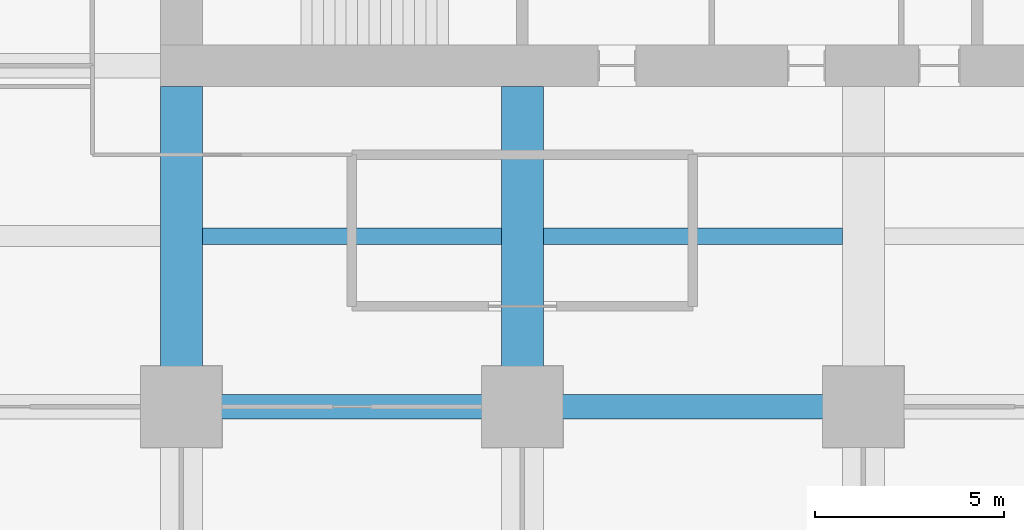
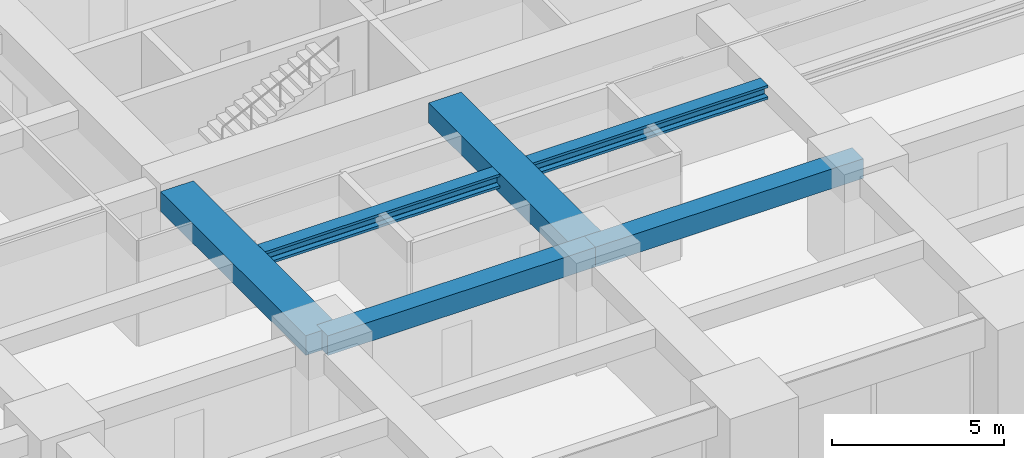
# One storey, part 8 of 44: 6 beams.
"""IFC4 building model written with IfcOpenShell, lengths in metres."""

import ifcopenshell
import ifcopenshell.guid

model = None  # the IFC model being written
_history = None  # IfcOwnerHistory: only IFC2X3 demands one
_inside = {}  # id of a spatial element -> (the spatial element, [elements in it])
_under = {}  # id of a project, library or spatial element -> (it, [spatial elements below it])
_declared = {}  # id of a project -> (the project, [libraries it declares])
_typed = {}  # id of a type object -> (the type object, [elements of that type])
_made_of = {}  # id of a material, layer set ... -> (it, [elements and type objects made of it])


def new_model(schema):
    """Start an empty IFC model of exactly this schema.

    Asked for "IFC4X3", IfcOpenShell would pick the latest addendum, in which some entities
    have other attributes; the version numbers below select the first issue.
    IFC2X3 requires an IfcOwnerHistory on every rooted entity: one is made here for all.
    """
    global model, _history
    if schema == "IFC4X3":
        model = ifcopenshell.file(schema_version=(4, 3, 0, 0))
    else:
        model = ifcopenshell.file(schema=schema)
    _inside.clear()
    _under.clear()
    _declared.clear()
    _typed.clear()
    _made_of.clear()
    _history = None
    if model.schema == "IFC2X3":
        org = make("IfcOrganization", Name="unknown")
        user = make(
            "IfcPersonAndOrganization",
            ThePerson=make("IfcPerson", FamilyName="unknown"),
            TheOrganization=org,
        )
        app = make(
            "IfcApplication",
            ApplicationDeveloper=org,
            Version="unknown",
            ApplicationFullName="unknown",
            ApplicationIdentifier="unknown",
        )
        _history = make(
            "IfcOwnerHistory",
            OwningUser=user,
            OwningApplication=app,
            ChangeAction="ADDED",
            CreationDate=0,
        )
    return model


def make(cls, **values):
    """One entity of the class cls with the attributes given. An attribute that is None is left unset."""
    return model.create_entity(
        cls, **{name: value for name, value in values.items() if value is not None}
    )


def rooted(cls, **values):
    """An entity with a GlobalId (a new one), such as an element, a storey or a relation."""
    return make(cls, GlobalId=ifcopenshell.guid.new(), OwnerHistory=_history, **values)


def si_unit(unit_type, name, prefix=None):
    """IfcSIUnit, for example si_unit("LENGTHUNIT", "METRE", prefix="MILLI")."""
    return make("IfcSIUnit", UnitType=unit_type, Prefix=prefix, Name=name)


def assignment(units):
    """IfcUnitAssignment: the units of a project."""
    return None if units is None else make("IfcUnitAssignment", Units=units)


def point(xyz):
    """IfcCartesianPoint."""
    return None if xyz is None else make("IfcCartesianPoint", Coordinates=xyz)


def direction(xyz):
    """IfcDirection."""
    return None if xyz is None else make("IfcDirection", DirectionRatios=xyz)


def frame(location, z_axis=None, x_axis=None):
    """IfcAxis2Placement3D, a coordinate frame: its origin and axes. An axis left out is left unset."""
    return make(
        "IfcAxis2Placement3D",
        Location=point(location),
        Axis=direction(z_axis),
        RefDirection=direction(x_axis),
    )


def frame_2d(location, x_axis=None):
    """IfcAxis2Placement2D, a coordinate frame in the plane: its origin and x axis."""
    return make(
        "IfcAxis2Placement2D", Location=point(location), RefDirection=direction(x_axis)
    )


def origin():
    """The frame at (0, 0, 0) with its axes left unset."""
    return frame((0.0, 0.0, 0.0))


def origin_2d():
    """The frame at (0, 0) in the plane with its x axis left unset."""
    return frame_2d((0.0, 0.0))


def place(relative_to, where):
    """IfcLocalPlacement: puts the frame where relative to a parent placement (None: the world)."""
    return make(
        "IfcLocalPlacement", PlacementRelTo=relative_to, RelativePlacement=where
    )


def context(
    kind, dimensions, precision=None, world=None, true_north=None, identifier=None
):
    """IfcGeometricRepresentationContext, for example the 3D "Model" context."""
    return make(
        "IfcGeometricRepresentationContext",
        ContextIdentifier=identifier,
        ContextType=kind,
        CoordinateSpaceDimension=dimensions,
        Precision=precision,
        WorldCoordinateSystem=world,
        TrueNorth=true_north,
    )


def subcontext(parent, identifier, kind, view, scale=None):
    """IfcGeometricRepresentationSubContext, for example "Body" below "Model"."""
    return make(
        "IfcGeometricRepresentationSubContext",
        ContextIdentifier=identifier,
        ContextType=kind,
        ParentContext=parent,
        TargetScale=scale,
        TargetView=view,
    )


def project(units=None, contexts=None):
    """IfcProject with its units and contexts."""
    return rooted(
        "IfcProject",
        Name="project",
        RepresentationContexts=contexts,
        UnitsInContext=assignment(units),
    )


def spatial(cls, under=None, at=None, **own):
    """A site, building, storey or space (cls), placed at a placement, below another one or the project."""
    s = rooted(cls, ObjectPlacement=at, **own)
    if under is not None:
        _under.setdefault(under.id(), (under, []))[1].append(s)
    return s


def profile(cls, at=None, kind="AREA", **sizes):
    """A parametric profile (cls). Its sizes go by their IFC names, for example OverallWidth=200.0."""
    return make(cls, ProfileType=kind, Position=at, **sizes)


def rectangle(**sizes):
    """IfcRectangleProfileDef."""
    return profile("IfcRectangleProfileDef", **sizes)


def i_section(**sizes):
    """IfcIShapeProfileDef."""
    return profile("IfcIShapeProfileDef", **sizes)


def extrude(swept, where, along, depth):
    """IfcExtrudedAreaSolid: the profile swept, set in the frame where, extruded along a direction by depth."""
    return make(
        "IfcExtrudedAreaSolid",
        SweptArea=swept,
        Position=where,
        ExtrudedDirection=direction(along),
        Depth=depth,
    )


def shape(context_of_items, identifier, shape_type, items):
    """IfcShapeRepresentation: the items that make up one representation, for example the "Body"."""
    return make(
        "IfcShapeRepresentation",
        ContextOfItems=context_of_items,
        RepresentationIdentifier=identifier,
        RepresentationType=shape_type,
        Items=items,
    )


def material(Name=None, Category=None):
    """IfcMaterial."""
    return make("IfcMaterial", Name=Name, Category=Category)


def material_profile(
    of_material, cross_section, Name=None, Category=None, Priority=None
):
    """IfcMaterialProfile: a cross section and its material."""
    return make(
        "IfcMaterialProfile",
        Name=Name,
        Material=of_material,
        Profile=cross_section,
        Priority=Priority,
        Category=Category,
    )


def profile_set(profiles, Name=None, composite=None):
    """IfcMaterialProfileSet."""
    return make(
        "IfcMaterialProfileSet",
        Name=Name,
        MaterialProfiles=profiles,
        CompositeProfile=composite,
    )


def made_of(thing, what):
    """Note that an element or type object is made of a material, layer set ...; save() writes the relation."""
    if what is not None:
        _made_of.setdefault(what.id(), (what, []))[1].append(thing)
    return thing


def type_object(cls, material=None, **own):
    """A type object (cls), such as IfcWallType, which elements share."""
    return made_of(rooted(cls, **own), material)


def element(
    cls,
    number,
    at=None,
    inside=None,
    cuts=None,
    type_object=None,
    material=None,
    context=None,
    identifier="Body",
    shape_type=None,
    held_by="IfcProductDefinitionShape",
    body=None,
    shapes=None,
    **own,
):
    """One element of the class cls, such as IfcWall. Its Tag is "e" and its number.

    at: its placement. inside: the storey or other place that contains it. cuts: it is an
    opening in that element (IfcRelVoidsElement). A single representation is given by context,
    identifier, shape_type and body (its items); several are given by shapes. held_by: the class
    of the entity that holds the representations. save() writes the other relations.
    """
    e = rooted(cls, Tag="e%d" % number, ObjectPlacement=at, **own)
    if body is not None:
        shapes = [shape(context, identifier, shape_type, body)]
    if shapes is not None:
        e.Representation = make(held_by, Representations=shapes)
    if inside is not None:
        _inside.setdefault(inside.id(), (inside, []))[1].append(e)
    if cuts is not None:
        rooted(
            "IfcRelVoidsElement", RelatingBuildingElement=cuts, RelatedOpeningElement=e
        )
    if type_object is not None:
        _typed.setdefault(type_object.id(), (type_object, []))[1].append(e)
    return made_of(e, material)


def aggregate(whole, parts):
    """IfcRelAggregates: a whole, such as a stair, and the parts it consists of."""
    return rooted("IfcRelAggregates", RelatingObject=whole, RelatedObjects=parts)


def save(model, path):
    """Write the relations noted so far, then the file.

    IfcRelAggregates (storeys below a building ...), IfcRelContainedInSpatialStructure (elements
    in a storey), IfcRelDefinesByType, IfcRelAssociatesMaterial and IfcRelDeclares: one each for
    every whole, place, type object, material and project.
    """
    for whole, parts in _under.values():
        aggregate(whole, parts)
    for where, things in _inside.values():
        rooted(
            "IfcRelContainedInSpatialStructure",
            RelatedElements=things,
            RelatingStructure=where,
        )
    for kind, things in _typed.values():
        rooted("IfcRelDefinesByType", RelatedObjects=things, RelatingType=kind)
    for what, things in _made_of.values():
        rooted("IfcRelAssociatesMaterial", RelatedObjects=things, RelatingMaterial=what)
    for by, libraries in _declared.values():
        rooted("IfcRelDeclares", RelatingContext=by, RelatedDefinitions=libraries)
    model.write(path)


model = new_model("IFC4")

# Units and contexts
model_context = context("Model", 3, precision=1e-05, world=origin(), true_north=direction((0.0, 1.0)))
body_context = subcontext(model_context, "Body", "Model", "MODEL_VIEW")
ifc_project = project(units=[si_unit("LENGTHUNIT", "METRE"), si_unit("AREAUNIT", "SQUARE_METRE"), si_unit("VOLUMEUNIT", "CUBIC_METRE"), si_unit("PLANEANGLEUNIT", "RADIAN"), si_unit("MASSUNIT", "GRAM", prefix="KILO")], contexts=[model_context])

# Site, building, storey
site_placement = place(None, origin())
site = spatial("IfcSite", under=ifc_project, at=site_placement, CompositionType="ELEMENT")
building_placement = place(site_placement, origin())
building = spatial("IfcBuilding", under=site, at=building_placement, Name="Zorevar Civic Tower", CompositionType="ELEMENT")
storey_placement = place(building_placement, frame((0.0, 0.0, 51.800048828125)))
storey = spatial("IfcBuildingStorey", under=building, at=storey_placement, Name="L12", CompositionType="ELEMENT", Elevation=51.800048828125)

# Beams
ifc_material_1 = material(Name="Concrete C50/60", Category="concrete")
ifc_material_profile_1 = material_profile(ifc_material_1, rectangle(XDim=1.10009765625, YDim=0.699951171875, at=origin_2d()), Name="RC 1100x700")
ifc_profile_set_1 = profile_set([ifc_material_profile_1], Name="Concrete C50/60")
beam_type_1 = type_object("IfcBeamType", Name="Beam RC 1100x700", PredefinedType="BEAM", material=ifc_profile_set_1)
for number, where, z_axis, x_axis, name in (
    (1, (18.0, 9.0, 3.39990234375), (0.0, 1.0, 0.0), (-1.0, 0.0, 0.0), "Girder L13"),
    (2, (27.0, 9.0, 3.39990234375), (0.0, 1.0, 0.0), (-1.0, 0.0, 0.0), "Girder L13"),
):
    element("IfcBeam", number, at=place(storey_placement, frame(where, z_axis=z_axis, x_axis=x_axis)), inside=storey, type_object=beam_type_1, Name=name, PredefinedType="BEAM", context=body_context, shape_type="SweptSolid", body=[
        extrude(rectangle(XDim=1.10009765625, YDim=0.699951171875, at=origin_2d()), origin(), (0.0, 0.0, 1.0), 8.449951171875),
    ])
ifc_material_2 = material(Name="Concrete C50/60", Category="concrete")
ifc_material_profile_2 = material_profile(ifc_material_2, rectangle(XDim=0.64990234375, YDim=0.699951171875, at=origin_2d()), Name="RC 650x700")
ifc_profile_set_2 = profile_set([ifc_material_profile_2], Name="Concrete C50/60")
beam_type_2 = type_object("IfcBeamType", Name="Beam RC 650x700", PredefinedType="BEAM", material=ifc_profile_set_2)
for number, where, z_axis, x_axis, name in (
    (3, (18.0, 9.0, 3.39990234375), (1.0, 0.0, 0.0), (0.0, 1.0, 0.0), "Girder L13"),
    (4, (27.0, 9.0, 3.39990234375), (1.0, 0.0, 0.0), (0.0, 1.0, 0.0), "Girder L13"),
):
    element("IfcBeam", number, at=place(storey_placement, frame(where, z_axis=z_axis, x_axis=x_axis)), inside=storey, type_object=beam_type_2, Name=name, PredefinedType="BEAM", context=body_context, shape_type="SweptSolid", body=[
        extrude(rectangle(XDim=0.64990234375, YDim=0.699951171875, at=origin_2d()), origin(), (0.0, 0.0, 1.0), 9.0),
    ])
ifc_material_3 = material(Name="Steel S460M (HISTAR 460)", Category="steel")
ifc_material_profile_3 = material_profile(ifc_material_3, i_section(OverallWidth=0.431884765625, OverallDepth=0.498046875, WebThickness=0.0556640625, FlangeThickness=0.0888671875, FilletRadius=0.014892578125, at=origin_2d()), Name="HD 400x744")
ifc_profile_set_3 = profile_set([ifc_material_profile_3], Name="Steel S460M (HISTAR 460)")
beam_type_3 = type_object("IfcBeamType", Name="Core bay beam HD 400x744", PredefinedType="BEAM", material=ifc_profile_set_3)
for number, where, z_axis, x_axis, name in (
    (5, (18.550048828125, 13.5, 3.5009765625), (1.0, 0.0, 0.0), (0.0, 1.0, 0.0), "Secondary beam L13"),
    (6, (27.550048828125, 13.5, 3.5009765625), (1.0, 0.0, 0.0), (0.0, 1.0, 0.0), "Secondary beam L13"),
):
    element("IfcBeam", number, at=place(storey_placement, frame(where, z_axis=z_axis, x_axis=x_axis)), inside=storey, type_object=beam_type_3, Name=name, PredefinedType="BEAM", context=body_context, shape_type="SweptSolid", body=[
        extrude(i_section(OverallWidth=0.431884765625, OverallDepth=0.498046875, WebThickness=0.0556640625, FlangeThickness=0.0888671875, FilletRadius=0.014892578125, at=origin_2d()), origin(), (0.0, 0.0, 1.0), 7.89990234375),
    ])

save(model, "model.ifc")
